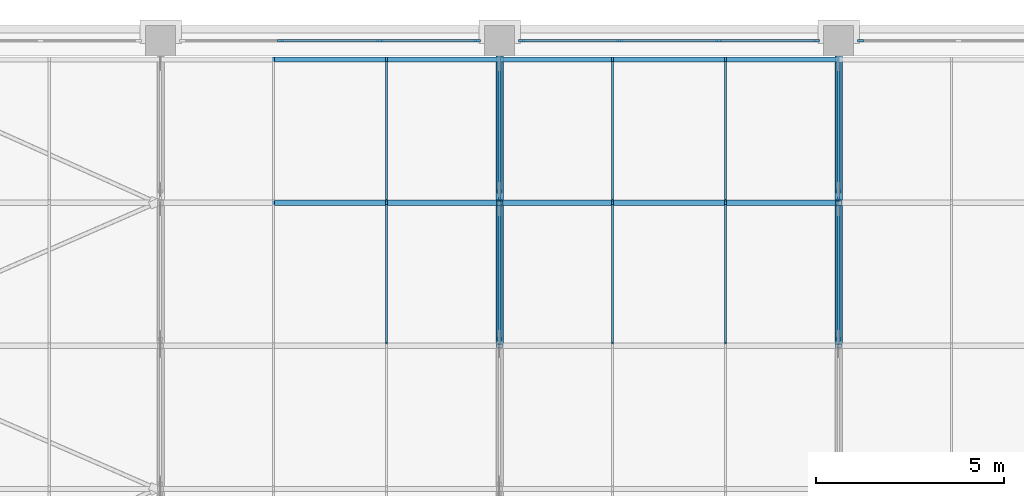
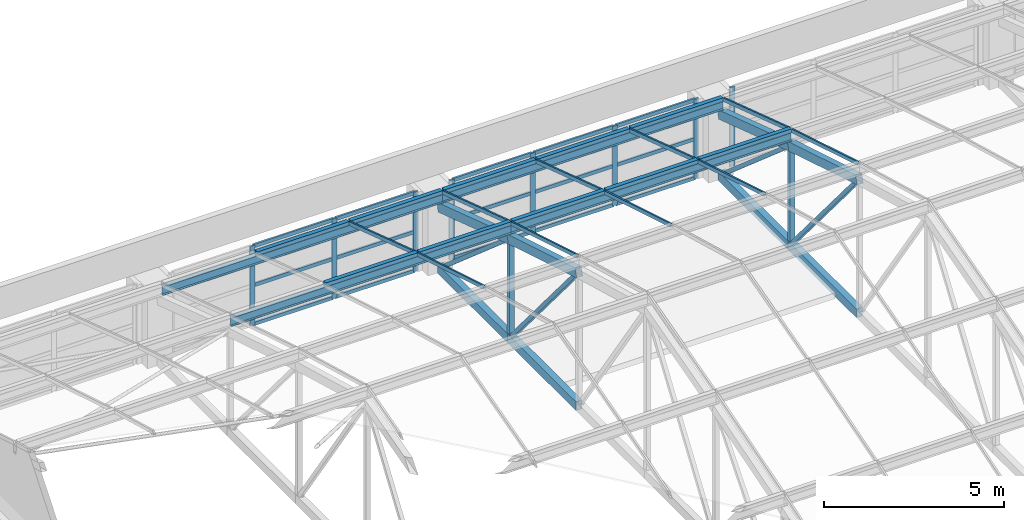
# One storey, part 14 of 82: 61 members, 4 elements without a shape of their own.
"""IFC4 building model written with IfcOpenShell, lengths in metres."""

from ifc_helpers import new_model, si_unit, direction, frame, origin, origin_2d, place, context, subcontext, project, spatial, rectangle, hollow_rectangle, i_section, extrude, material, material_profile, profile_set, type_object, element, aggregate, save


model = new_model("IFC4")

# Units and contexts
model_context = context("Model", 3, precision=1e-05, world=origin(), true_north=direction((0.0, 1.0)))
body_context = subcontext(model_context, "Body", "Model", "MODEL_VIEW")
ifc_project = project(units=[si_unit("LENGTHUNIT", "METRE"), si_unit("AREAUNIT", "SQUARE_METRE"), si_unit("VOLUMEUNIT", "CUBIC_METRE"), si_unit("PLANEANGLEUNIT", "RADIAN"), si_unit("MASSUNIT", "GRAM", prefix="KILO")], contexts=[model_context])

# Site, building, storey
site_placement = place(None, origin())
site = spatial("IfcSite", under=ifc_project, at=site_placement, CompositionType="ELEMENT")
building_placement = place(site_placement, origin())
building = spatial("IfcBuilding", under=site, at=building_placement, Name="Aravalli Gate Trade Fair Centre", CompositionType="ELEMENT")
storey_placement = place(building_placement, frame((0.0, 0.0, 19.199951171875)))
storey = spatial("IfcBuildingStorey", under=building, at=storey_placement, Name="L04", CompositionType="ELEMENT", Elevation=19.199951171875)

# Curtain wall, members
ifc_material_1 = material(Name="Aluminium and glass", Category="aluminium")
curtain_wall_type_1 = type_object("IfcCurtainWallType", Name="Curtain wall 3000 module", PredefinedType="NOTDEFINED", material=ifc_material_1)
curtain_wall_1_placement = place(storey_placement, origin())
curtain_wall_1 = element("IfcCurtainWall", 1, at=curtain_wall_1_placement, inside=storey, type_object=curtain_wall_type_1, Name="Curtain wall north bay 3 L04", PredefinedType="NOTDEFINED")
ifc_material_2 = material(Name="Aluminium", Category="aluminium")
ifc_material_profile_1 = material_profile(ifc_material_2, rectangle(XDim=0.06005859375, YDim=0.159912109375, at=origin_2d()), Name="Concourse curtain wall mullion 60 x 160")
ifc_profile_set_1 = profile_set([ifc_material_profile_1], Name="Aluminium")
member_type_1 = type_object("IfcMemberType", Name="Concourse curtain wall mullion 60 x 160", PredefinedType="MULLION", material=ifc_profile_set_1)
member_1_placement = place(storey_placement, frame((27.183349609375, 133.0, 0.0), z_axis=(0.0, 0.0, 1.0), x_axis=(0.0, 1.0, 0.0)))
member_1 = element("IfcMember", 2, at=member_1_placement, type_object=member_type_1, Name="CW1 mullion 2", PredefinedType="MULLION", context=body_context, shape_type="SweptSolid", body=[
    extrude(rectangle(XDim=0.06005859375, YDim=0.159912109375, at=origin_2d()), origin(), (0.0, 0.0, 1.0), 2.699951171875),
])
member_2_placement = place(storey_placement, frame((29.816650390625, 133.0, 0.0), z_axis=(0.0, 0.0, 1.0), x_axis=(0.0, 1.0, 0.0)))
member_2 = element("IfcMember", 3, at=member_2_placement, type_object=member_type_1, Name="CW1 mullion 3", PredefinedType="MULLION", context=body_context, shape_type="SweptSolid", body=[
    extrude(rectangle(XDim=0.06005859375, YDim=0.159912109375, at=origin_2d()), origin(), (0.0, 0.0, 1.0), 2.699951171875),
])
member_3_placement = place(storey_placement, frame((32.419921875, 133.0, 0.0), z_axis=(0.0, 0.0, 1.0), x_axis=(0.0, 1.0, 0.0)))
member_3 = element("IfcMember", 4, at=member_3_placement, type_object=member_type_1, Name="CW1 mullion 4", PredefinedType="MULLION", context=body_context, shape_type="SweptSolid", body=[
    extrude(rectangle(XDim=0.06005859375, YDim=0.159912109375, at=origin_2d()), origin(), (0.0, 0.0, 1.0), 2.699951171875),
])

curtain_wall_2_placement = place(storey_placement, origin())
curtain_wall_2 = element("IfcCurtainWall", 5, at=curtain_wall_2_placement, inside=storey, type_object=curtain_wall_type_1, Name="Curtain wall north bay 4 L04", PredefinedType="NOTDEFINED")
member_4_placement = place(storey_placement, frame((33.580078125, 133.0, 0.0), z_axis=(0.0, 0.0, 1.0), x_axis=(0.0, 1.0, 0.0)))
member_4 = element("IfcMember", 6, at=member_4_placement, type_object=member_type_1, Name="CW1 mullion 1", PredefinedType="MULLION", context=body_context, shape_type="SweptSolid", body=[
    extrude(rectangle(XDim=0.06005859375, YDim=0.159912109375, at=origin_2d()), origin(), (0.0, 0.0, 1.0), 2.699951171875),
])
member_5_placement = place(storey_placement, frame((36.183349609375, 133.0, 0.0), z_axis=(0.0, 0.0, 1.0), x_axis=(0.0, 1.0, 0.0)))
member_5 = element("IfcMember", 7, at=member_5_placement, type_object=member_type_1, Name="CW1 mullion 2", PredefinedType="MULLION", context=body_context, shape_type="SweptSolid", body=[
    extrude(rectangle(XDim=0.06005859375, YDim=0.159912109375, at=origin_2d()), origin(), (0.0, 0.0, 1.0), 2.699951171875),
])
member_6_placement = place(storey_placement, frame((38.816650390625, 133.0, 0.0), z_axis=(0.0, 0.0, 1.0), x_axis=(0.0, 1.0, 0.0)))
member_6 = element("IfcMember", 8, at=member_6_placement, type_object=member_type_1, Name="CW1 mullion 3", PredefinedType="MULLION", context=body_context, shape_type="SweptSolid", body=[
    extrude(rectangle(XDim=0.06005859375, YDim=0.159912109375, at=origin_2d()), origin(), (0.0, 0.0, 1.0), 2.699951171875),
])
member_7_placement = place(storey_placement, frame((41.419921875, 133.0, 0.0), z_axis=(0.0, 0.0, 1.0), x_axis=(0.0, 1.0, 0.0)))
member_7 = element("IfcMember", 9, at=member_7_placement, type_object=member_type_1, Name="CW1 mullion 4", PredefinedType="MULLION", context=body_context, shape_type="SweptSolid", body=[
    extrude(rectangle(XDim=0.06005859375, YDim=0.159912109375, at=origin_2d()), origin(), (0.0, 0.0, 1.0), 2.699951171875),
])

# Curtain wall, member
curtain_wall_3_placement = place(storey_placement, origin())
curtain_wall_3 = element("IfcCurtainWall", 10, at=curtain_wall_3_placement, inside=storey, type_object=curtain_wall_type_1, Name="Curtain wall north bay 5 L04", PredefinedType="NOTDEFINED")
member_8_placement = place(storey_placement, frame((42.580078125, 133.0, 0.0), z_axis=(0.0, 0.0, 1.0), x_axis=(0.0, 1.0, 0.0)))
member_8 = element("IfcMember", 11, at=member_8_placement, type_object=member_type_1, Name="CW1 mullion 1", PredefinedType="MULLION", context=body_context, shape_type="SweptSolid", body=[
    extrude(rectangle(XDim=0.06005859375, YDim=0.159912109375, at=origin_2d()), origin(), (0.0, 0.0, 1.0), 2.699951171875),
])
aggregate(curtain_wall_3, [member_8])

# Member
ifc_material_profile_2 = material_profile(ifc_material_2, rectangle(XDim=0.06005859375, YDim=0.1201171875, at=origin_2d()), Name="Concourse curtain wall transom 60 x 120")
ifc_profile_set_2 = profile_set([ifc_material_profile_2], Name="Aluminium")
member_type_2 = type_object("IfcMemberType", Name="Concourse curtain wall transom 60 x 120", PredefinedType="USERDEFINED", material=ifc_profile_set_2)
member_9_placement = place(storey_placement, frame((27.21337890625, 133.0, 0.030029296875), z_axis=(1.0, 0.0, 0.0), x_axis=(0.0, 1.0, 0.0)))
member_9 = element("IfcMember", 12, at=member_9_placement, type_object=member_type_2, Name="CW1 transom 2.1", ObjectType="TRANSOM", PredefinedType="USERDEFINED", context=body_context, shape_type="SweptSolid", body=[
    extrude(rectangle(XDim=0.06005859375, YDim=0.1201171875, at=origin_2d()), origin(), (0.0, 0.0, 1.0), 2.5732421875),
])

member_10_placement = place(storey_placement, frame((27.21337890625, 133.0, 1.35009765625), z_axis=(1.0, 0.0, 0.0), x_axis=(0.0, 1.0, 0.0)))
member_10 = element("IfcMember", 13, at=member_10_placement, type_object=member_type_2, Name="CW1 transom 2.2", ObjectType="TRANSOM", PredefinedType="USERDEFINED", context=body_context, shape_type="SweptSolid", body=[
    extrude(rectangle(XDim=0.06005859375, YDim=0.1201171875, at=origin_2d()), origin(), (0.0, 0.0, 1.0), 2.5732421875),
])

member_11_placement = place(storey_placement, frame((27.21337890625, 133.0, 2.670166015625), z_axis=(1.0, 0.0, 0.0), x_axis=(0.0, 1.0, 0.0)))
member_11 = element("IfcMember", 14, at=member_11_placement, type_object=member_type_2, Name="CW1 transom 2.3", ObjectType="TRANSOM", PredefinedType="USERDEFINED", context=body_context, shape_type="SweptSolid", body=[
    extrude(rectangle(XDim=0.06005859375, YDim=0.1201171875, at=origin_2d()), origin(), (0.0, 0.0, 1.0), 2.5732421875),
])

member_12_placement = place(storey_placement, frame((29.8466796875, 133.0, 0.030029296875), z_axis=(1.0, 0.0, 0.0), x_axis=(0.0, 1.0, 0.0)))
member_12 = element("IfcMember", 15, at=member_12_placement, type_object=member_type_2, Name="CW1 transom 3.1", ObjectType="TRANSOM", PredefinedType="USERDEFINED", context=body_context, shape_type="SweptSolid", body=[
    extrude(rectangle(XDim=0.06005859375, YDim=0.1201171875, at=origin_2d()), origin(), (0.0, 0.0, 1.0), 2.543212890625),
])

member_13_placement = place(storey_placement, frame((29.8466796875, 133.0, 1.35009765625), z_axis=(1.0, 0.0, 0.0), x_axis=(0.0, 1.0, 0.0)))
member_13 = element("IfcMember", 16, at=member_13_placement, type_object=member_type_2, Name="CW1 transom 3.2", ObjectType="TRANSOM", PredefinedType="USERDEFINED", context=body_context, shape_type="SweptSolid", body=[
    extrude(rectangle(XDim=0.06005859375, YDim=0.1201171875, at=origin_2d()), origin(), (0.0, 0.0, 1.0), 2.543212890625),
])

member_14_placement = place(storey_placement, frame((29.8466796875, 133.0, 2.670166015625), z_axis=(1.0, 0.0, 0.0), x_axis=(0.0, 1.0, 0.0)))
member_14 = element("IfcMember", 17, at=member_14_placement, type_object=member_type_2, Name="CW1 transom 3.3", ObjectType="TRANSOM", PredefinedType="USERDEFINED", context=body_context, shape_type="SweptSolid", body=[
    extrude(rectangle(XDim=0.06005859375, YDim=0.1201171875, at=origin_2d()), origin(), (0.0, 0.0, 1.0), 2.543212890625),
])

aggregate(curtain_wall_1, [member_1, member_2, member_3, member_9, member_10, member_11, member_12, member_13, member_14])

member_15_placement = place(storey_placement, frame((33.610107421875, 133.0, 0.030029296875), z_axis=(1.0, 0.0, 0.0), x_axis=(0.0, 1.0, 0.0)))
member_15 = element("IfcMember", 18, at=member_15_placement, type_object=member_type_2, Name="CW1 transom 1.1", ObjectType="TRANSOM", PredefinedType="USERDEFINED", context=body_context, shape_type="SweptSolid", body=[
    extrude(rectangle(XDim=0.06005859375, YDim=0.1201171875, at=origin_2d()), origin(), (0.0, 0.0, 1.0), 2.543212890625),
])

member_16_placement = place(storey_placement, frame((33.610107421875, 133.0, 1.35009765625), z_axis=(1.0, 0.0, 0.0), x_axis=(0.0, 1.0, 0.0)))
member_16 = element("IfcMember", 19, at=member_16_placement, type_object=member_type_2, Name="CW1 transom 1.2", ObjectType="TRANSOM", PredefinedType="USERDEFINED", context=body_context, shape_type="SweptSolid", body=[
    extrude(rectangle(XDim=0.06005859375, YDim=0.1201171875, at=origin_2d()), origin(), (0.0, 0.0, 1.0), 2.543212890625),
])

member_17_placement = place(storey_placement, frame((33.610107421875, 133.0, 2.670166015625), z_axis=(1.0, 0.0, 0.0), x_axis=(0.0, 1.0, 0.0)))
member_17 = element("IfcMember", 20, at=member_17_placement, type_object=member_type_2, Name="CW1 transom 1.3", ObjectType="TRANSOM", PredefinedType="USERDEFINED", context=body_context, shape_type="SweptSolid", body=[
    extrude(rectangle(XDim=0.06005859375, YDim=0.1201171875, at=origin_2d()), origin(), (0.0, 0.0, 1.0), 2.543212890625),
])

member_18_placement = place(storey_placement, frame((36.21337890625, 133.0, 0.030029296875), z_axis=(1.0, 0.0, 0.0), x_axis=(0.0, 1.0, 0.0)))
member_18 = element("IfcMember", 21, at=member_18_placement, type_object=member_type_2, Name="CW1 transom 2.1", ObjectType="TRANSOM", PredefinedType="USERDEFINED", context=body_context, shape_type="SweptSolid", body=[
    extrude(rectangle(XDim=0.06005859375, YDim=0.1201171875, at=origin_2d()), origin(), (0.0, 0.0, 1.0), 2.5732421875),
])

member_19_placement = place(storey_placement, frame((36.21337890625, 133.0, 1.35009765625), z_axis=(1.0, 0.0, 0.0), x_axis=(0.0, 1.0, 0.0)))
member_19 = element("IfcMember", 22, at=member_19_placement, type_object=member_type_2, Name="CW1 transom 2.2", ObjectType="TRANSOM", PredefinedType="USERDEFINED", context=body_context, shape_type="SweptSolid", body=[
    extrude(rectangle(XDim=0.06005859375, YDim=0.1201171875, at=origin_2d()), origin(), (0.0, 0.0, 1.0), 2.5732421875),
])

member_20_placement = place(storey_placement, frame((36.21337890625, 133.0, 2.670166015625), z_axis=(1.0, 0.0, 0.0), x_axis=(0.0, 1.0, 0.0)))
member_20 = element("IfcMember", 23, at=member_20_placement, type_object=member_type_2, Name="CW1 transom 2.3", ObjectType="TRANSOM", PredefinedType="USERDEFINED", context=body_context, shape_type="SweptSolid", body=[
    extrude(rectangle(XDim=0.06005859375, YDim=0.1201171875, at=origin_2d()), origin(), (0.0, 0.0, 1.0), 2.5732421875),
])

member_21_placement = place(storey_placement, frame((38.8466796875, 133.0, 0.030029296875), z_axis=(1.0, 0.0, 0.0), x_axis=(0.0, 1.0, 0.0)))
member_21 = element("IfcMember", 24, at=member_21_placement, type_object=member_type_2, Name="CW1 transom 3.1", ObjectType="TRANSOM", PredefinedType="USERDEFINED", context=body_context, shape_type="SweptSolid", body=[
    extrude(rectangle(XDim=0.06005859375, YDim=0.1201171875, at=origin_2d()), origin(), (0.0, 0.0, 1.0), 2.543212890625),
])

member_22_placement = place(storey_placement, frame((38.8466796875, 133.0, 1.35009765625), z_axis=(1.0, 0.0, 0.0), x_axis=(0.0, 1.0, 0.0)))
member_22 = element("IfcMember", 25, at=member_22_placement, type_object=member_type_2, Name="CW1 transom 3.2", ObjectType="TRANSOM", PredefinedType="USERDEFINED", context=body_context, shape_type="SweptSolid", body=[
    extrude(rectangle(XDim=0.06005859375, YDim=0.1201171875, at=origin_2d()), origin(), (0.0, 0.0, 1.0), 2.543212890625),
])

member_23_placement = place(storey_placement, frame((38.8466796875, 133.0, 2.670166015625), z_axis=(1.0, 0.0, 0.0), x_axis=(0.0, 1.0, 0.0)))
member_23 = element("IfcMember", 26, at=member_23_placement, type_object=member_type_2, Name="CW1 transom 3.3", ObjectType="TRANSOM", PredefinedType="USERDEFINED", context=body_context, shape_type="SweptSolid", body=[
    extrude(rectangle(XDim=0.06005859375, YDim=0.1201171875, at=origin_2d()), origin(), (0.0, 0.0, 1.0), 2.543212890625),
])

aggregate(curtain_wall_2, [member_4, member_5, member_6, member_7, member_15, member_16, member_17, member_18, member_19, member_20, member_21, member_22, member_23])

# Members
ifc_material_3 = material(Name="Steel E350", Category="steel")
ifc_material_profile_3 = material_profile(ifc_material_3, i_section(OverallWidth=0.139892578125, OverallDepth=0.300048828125, WebThickness=0.0078125, FlangeThickness=0.01318359375, at=origin_2d()), Name="ISMB 300")
ifc_profile_set_3 = profile_set([ifc_material_profile_3], Name="Steel E350")
member_type_3 = type_object("IfcMemberType", Name="ISMB 300 roof purlin", PredefinedType="PURLIN", material=ifc_profile_set_3)
for number, where, z_axis, x_axis, name in (
    (27, (24.0, 128.699951171875, 3.851318359375), (1.0, 0.0, 0.0), (0.0, 1.0, 0.0), "Vault purlin 03-04 F5"),
    (28, (24.0, 132.5, 2.60302734375), (1.0, 0.0, 0.0), (0.0, 1.0, 0.0), "Vault purlin 03-04 F6"),
    (29, (33.0, 128.699951171875, 3.851318359375), (1.0, 0.0, 0.0), (0.0, 1.0, 0.0), "Vault purlin 04-05 F5"),
    (30, (33.0, 132.5, 2.60302734375), (1.0, 0.0, 0.0), (0.0, 1.0, 0.0), "Vault purlin 04-05 F6"),
):
    element("IfcMember", number, at=place(storey_placement, frame(where, z_axis=z_axis, x_axis=x_axis)), inside=storey, type_object=member_type_3, Name=name, PredefinedType="PURLIN", context=body_context, shape_type="SweptSolid", body=[
        extrude(i_section(OverallWidth=0.139892578125, OverallDepth=0.300048828125, WebThickness=0.0078125, FlangeThickness=0.01318359375, at=origin_2d()), origin(), (0.0, 0.0, 1.0), 9.0),
    ])
ifc_material_profile_4 = material_profile(ifc_material_3, hollow_rectangle(XDim=0.199951171875, YDim=0.300048828125, WallThickness=0.011962890625, at=origin_2d()), Name="RHS 300x200x12")
ifc_profile_set_4 = profile_set([ifc_material_profile_4], Name="Steel E350")
member_type_4 = type_object("IfcMemberType", Name="RHS 300x200x12 CT1 truss chord", PredefinedType="CHORD", material=ifc_profile_set_4)
member_24_placement = place(storey_placement, frame((33.0, 124.89990234375, 4.67333984375), z_axis=(0.0, 0.957138110877, -0.289631898634), x_axis=(-1.0, 0.0, 0.0)))
element("IfcMember", 31, at=member_24_placement, inside=storey, type_object=member_type_4, Name="Concourse vault truss CT1 line 04 top chord T5", PredefinedType="CHORD", context=body_context, shape_type="SweptSolid", body=[
    extrude(hollow_rectangle(XDim=0.199951171875, YDim=0.300048828125, WallThickness=0.011962890625, at=origin_2d()), origin(), (0.0, 0.0, 1.0), 3.97021484375),
])
member_25_placement = place(storey_placement, frame((33.0, 124.89990234375, 0.150146484375), z_axis=(0.0, 1.0, 0.0), x_axis=(-1.0, 0.0, 0.0)))
element("IfcMember", 32, at=member_25_placement, inside=storey, type_object=member_type_4, Name="Concourse vault truss CT1 line 04 bottom chord B5", PredefinedType="CHORD", context=body_context, shape_type="SweptSolid", body=[
    extrude(hollow_rectangle(XDim=0.199951171875, YDim=0.300048828125, WallThickness=0.011962890625, at=origin_2d()), origin(), (0.0, 0.0, 1.0), 3.800048828125),
])
member_26_placement = place(storey_placement, frame((33.0, 128.699951171875, 3.522216796875), z_axis=(0.0, 0.949924628731, -0.312479118872), x_axis=(-1.0, 0.0, 0.0)))
element("IfcMember", 33, at=member_26_placement, inside=storey, type_object=member_type_4, Name="Concourse vault truss CT1 line 04 top chord T6", PredefinedType="CHORD", context=body_context, shape_type="SweptSolid", body=[
    extrude(hollow_rectangle(XDim=0.199951171875, YDim=0.300048828125, WallThickness=0.011962890625, at=origin_2d()), origin(), (0.0, 0.0, 1.0), 4.105712890625),
])
member_27_placement = place(storey_placement, frame((33.0, 128.699951171875, 0.150146484375), z_axis=(0.0, 1.0, 0.0), x_axis=(-1.0, 0.0, 0.0)))
element("IfcMember", 34, at=member_27_placement, inside=storey, type_object=member_type_4, Name="Concourse vault truss CT1 line 04 bottom chord B6", PredefinedType="CHORD", context=body_context, shape_type="SweptSolid", body=[
    extrude(hollow_rectangle(XDim=0.199951171875, YDim=0.300048828125, WallThickness=0.011962890625, at=origin_2d()), origin(), (0.0, 0.0, 1.0), 3.900146484375),
])
member_28_placement = place(storey_placement, frame((42.0, 124.89990234375, 4.67333984375), z_axis=(0.0, 0.957138110877, -0.289631898634), x_axis=(-1.0, 0.0, 0.0)))
element("IfcMember", 35, at=member_28_placement, inside=storey, type_object=member_type_4, Name="Concourse vault truss CT1 line 05 top chord T5", PredefinedType="CHORD", context=body_context, shape_type="SweptSolid", body=[
    extrude(hollow_rectangle(XDim=0.199951171875, YDim=0.300048828125, WallThickness=0.011962890625, at=origin_2d()), origin(), (0.0, 0.0, 1.0), 3.97021484375),
])
member_29_placement = place(storey_placement, frame((42.0, 124.89990234375, 0.150146484375), z_axis=(0.0, 1.0, 0.0), x_axis=(-1.0, 0.0, 0.0)))
element("IfcMember", 36, at=member_29_placement, inside=storey, type_object=member_type_4, Name="Concourse vault truss CT1 line 05 bottom chord B5", PredefinedType="CHORD", context=body_context, shape_type="SweptSolid", body=[
    extrude(hollow_rectangle(XDim=0.199951171875, YDim=0.300048828125, WallThickness=0.011962890625, at=origin_2d()), origin(), (0.0, 0.0, 1.0), 3.800048828125),
])
member_30_placement = place(storey_placement, frame((42.0, 128.699951171875, 3.522216796875), z_axis=(0.0, 0.949924628731, -0.312479118872), x_axis=(-1.0, 0.0, 0.0)))
element("IfcMember", 37, at=member_30_placement, inside=storey, type_object=member_type_4, Name="Concourse vault truss CT1 line 05 top chord T6", PredefinedType="CHORD", context=body_context, shape_type="SweptSolid", body=[
    extrude(hollow_rectangle(XDim=0.199951171875, YDim=0.300048828125, WallThickness=0.011962890625, at=origin_2d()), origin(), (0.0, 0.0, 1.0), 4.105712890625),
])
member_31_placement = place(storey_placement, frame((42.0, 128.699951171875, 0.150146484375), z_axis=(0.0, 1.0, 0.0), x_axis=(-1.0, 0.0, 0.0)))
element("IfcMember", 38, at=member_31_placement, inside=storey, type_object=member_type_4, Name="Concourse vault truss CT1 line 05 bottom chord B6", PredefinedType="CHORD", context=body_context, shape_type="SweptSolid", body=[
    extrude(hollow_rectangle(XDim=0.199951171875, YDim=0.300048828125, WallThickness=0.011962890625, at=origin_2d()), origin(), (0.0, 0.0, 1.0), 3.900146484375),
])
ifc_material_profile_5 = material_profile(ifc_material_3, hollow_rectangle(XDim=0.125, YDim=0.125, WallThickness=0.006103515625, at=origin_2d()), Name="SHS 125x125x6")
ifc_profile_set_5 = profile_set([ifc_material_profile_5], Name="Steel E350")
member_type_5 = type_object("IfcMemberType", Name="SHS 125x125x6 CT1 truss diagonal", PredefinedType="BRACE", material=ifc_profile_set_5)
member_32_placement = place(storey_placement, frame((33.0, 125.076416015625, 4.463134765625), z_axis=(0.0, 0.643253159982, -0.765653558845), x_axis=(-1.0, 0.0, 0.0)))
element("IfcMember", 39, at=member_32_placement, inside=storey, type_object=member_type_5, Name="Concourse vault truss CT1 line 04 diagonal D5", PredefinedType="BRACE", context=body_context, shape_type="SweptSolid", body=[
    extrude(hollow_rectangle(XDim=0.125, YDim=0.125, WallThickness=0.006103515625, at=origin_2d()), origin(), (0.0, 0.0, 1.0), 5.437255859375),
])
member_33_placement = place(storey_placement, frame((33.0, 128.994873046875, 3.267333984375), z_axis=(0.0, 0.756430814482, -0.654073713661), x_axis=(-1.0, 0.0, 0.0)))
element("IfcMember", 40, at=member_33_placement, inside=storey, type_object=member_type_5, Name="Concourse vault truss CT1 line 04 diagonal D6", PredefinedType="BRACE", context=body_context, shape_type="SweptSolid", body=[
    extrude(hollow_rectangle(XDim=0.125, YDim=0.125, WallThickness=0.006103515625, at=origin_2d()), origin(), (0.0, 0.0, 1.0), 4.53662109375),
])
member_34_placement = place(storey_placement, frame((42.0, 125.076416015625, 4.463134765625), z_axis=(0.0, 0.643253159982, -0.765653558845), x_axis=(-1.0, 0.0, 0.0)))
element("IfcMember", 41, at=member_34_placement, inside=storey, type_object=member_type_5, Name="Concourse vault truss CT1 line 05 diagonal D5", PredefinedType="BRACE", context=body_context, shape_type="SweptSolid", body=[
    extrude(hollow_rectangle(XDim=0.125, YDim=0.125, WallThickness=0.006103515625, at=origin_2d()), origin(), (0.0, 0.0, 1.0), 5.437255859375),
])
member_35_placement = place(storey_placement, frame((42.0, 128.994873046875, 3.267333984375), z_axis=(0.0, 0.756430814482, -0.654073713661), x_axis=(-1.0, 0.0, 0.0)))
element("IfcMember", 42, at=member_35_placement, inside=storey, type_object=member_type_5, Name="Concourse vault truss CT1 line 05 diagonal D6", PredefinedType="BRACE", context=body_context, shape_type="SweptSolid", body=[
    extrude(hollow_rectangle(XDim=0.125, YDim=0.125, WallThickness=0.006103515625, at=origin_2d()), origin(), (0.0, 0.0, 1.0), 4.53662109375),
])
ifc_material_profile_6 = material_profile(ifc_material_3, hollow_rectangle(XDim=0.14990234375, YDim=0.14990234375, WallThickness=0.006103515625, at=origin_2d()), Name="SHS 150x150x6")
ifc_profile_set_6 = profile_set([ifc_material_profile_6], Name="Steel E350")
member_type_6 = type_object("IfcMemberType", Name="SHS 150x150x6 CT1 truss post", PredefinedType="POST", material=ifc_profile_set_6)
for number, where, z_axis, x_axis, name in (
    (43, (33.0, 128.699951171875, 0.300048828125), (0.0, 0.0, 1.0), (1.0, 0.0, 0.0), "Concourse vault truss CT1 line 04 post V5"),
    (44, (42.0, 128.699951171875, 0.300048828125), (0.0, 0.0, 1.0), (1.0, 0.0, 0.0), "Concourse vault truss CT1 line 05 post V5"),
):
    element("IfcMember", number, at=place(storey_placement, frame(where, z_axis=z_axis, x_axis=x_axis)), inside=storey, type_object=member_type_6, Name=name, PredefinedType="POST", context=body_context, shape_type="SweptSolid", body=[
        extrude(hollow_rectangle(XDim=0.14990234375, YDim=0.14990234375, WallThickness=0.006103515625, at=origin_2d()), origin(), (0.0, 0.0, 1.0), 3.064208984375),
    ])
ifc_material_profile_7 = material_profile(ifc_material_2, rectangle(XDim=0.139892578125, YDim=0.1201171875, at=origin_2d()), Name="Vault fold cap 140 x 120")
ifc_profile_set_7 = profile_set([ifc_material_profile_7], Name="Aluminium")
member_type_7 = type_object("IfcMemberType", Name="Vault fold cap 140 x 120", PredefinedType="USERDEFINED", material=ifc_profile_set_7)
for number, where, z_axis, x_axis, name in (
    (45, (27.030029296875, 128.699951171875, 4.061279296875), (1.0, 0.0, 0.0), (0.0, 1.0, 0.0), "Vault fold cap w5.5"),
    (46, (27.030029296875, 132.5, 2.81298828125), (1.0, 0.0, 0.0), (0.0, 1.0, 0.0), "Vault fold cap w5.6"),
    (47, (30.030029296875, 128.699951171875, 4.061279296875), (1.0, 0.0, 0.0), (0.0, 1.0, 0.0), "Vault fold cap w6.5"),
    (48, (30.030029296875, 132.5, 2.81298828125), (1.0, 0.0, 0.0), (0.0, 1.0, 0.0), "Vault fold cap w6.6"),
    (49, (33.030029296875, 128.699951171875, 4.061279296875), (1.0, 0.0, 0.0), (0.0, 1.0, 0.0), "Vault fold cap w7.5"),
    (50, (33.030029296875, 132.5, 2.81298828125), (1.0, 0.0, 0.0), (0.0, 1.0, 0.0), "Vault fold cap w7.6"),
    (51, (36.030029296875, 128.699951171875, 4.061279296875), (1.0, 0.0, 0.0), (0.0, 1.0, 0.0), "Vault fold cap w8.5"),
    (52, (36.030029296875, 132.5, 2.81298828125), (1.0, 0.0, 0.0), (0.0, 1.0, 0.0), "Vault fold cap w8.6"),
    (53, (39.030029296875, 128.699951171875, 4.061279296875), (1.0, 0.0, 0.0), (0.0, 1.0, 0.0), "Vault fold cap w9.5"),
    (54, (39.030029296875, 132.5, 2.81298828125), (1.0, 0.0, 0.0), (0.0, 1.0, 0.0), "Vault fold cap w9.6"),
):
    element("IfcMember", number, at=place(storey_placement, frame(where, z_axis=z_axis, x_axis=x_axis)), inside=storey, type_object=member_type_7, Name=name, ObjectType="FOLD CAP", PredefinedType="USERDEFINED", context=body_context, shape_type="SweptSolid", body=[
        extrude(rectangle(XDim=0.139892578125, YDim=0.1201171875, at=origin_2d()), origin(), (0.0, 0.0, 1.0), 2.93994140625),
    ])

# Curtain wall, members
curtain_wall_type_2 = type_object("IfcCurtainWallType", Name="Vault curtain wall, sloped glazing", PredefinedType="NOTDEFINED", material=ifc_material_1)
curtain_wall_4_placement = place(storey_placement, origin())
curtain_wall_4 = element("IfcCurtainWall", 55, at=curtain_wall_4_placement, inside=storey, type_object=curtain_wall_type_2, Name="Vault curtain wall w", PredefinedType="NOTDEFINED")
ifc_material_profile_8 = material_profile(ifc_material_2, rectangle(XDim=0.06005859375, YDim=0.1201171875, at=origin_2d()), Name="Vault glazing bar 60 x 120")
ifc_profile_set_8 = profile_set([ifc_material_profile_8], Name="Aluminium")
member_type_8 = type_object("IfcMemberType", Name="Vault glazing bar 60 x 120", PredefinedType="USERDEFINED", material=ifc_profile_set_8)
member_36_placement = place(storey_placement, frame((30.0, 124.969970703125, 5.166259765625), z_axis=(0.0, 0.957125834694, -0.289672464279), x_axis=(-1.0, 0.0, 0.0)))
member_36 = element("IfcMember", 56, at=member_36_placement, type_object=member_type_8, Name="Vault glazing bar w6.5", ObjectType="GLAZING BAR", PredefinedType="USERDEFINED", context=body_context, shape_type="SweptSolid", body=[
    extrude(rectangle(XDim=0.06005859375, YDim=0.1201171875, at=origin_2d()), origin(), (0.0, 0.0, 1.0), 3.823974609375),
])
member_37_placement = place(storey_placement, frame((30.0, 128.77001953125, 4.013916015625), z_axis=(0.0, 0.949930492103, -0.31246129388), x_axis=(-1.0, 0.0, 0.0)))
member_37 = element("IfcMember", 57, at=member_37_placement, type_object=member_type_8, Name="Vault glazing bar w6.6", ObjectType="GLAZING BAR", PredefinedType="USERDEFINED", context=body_context, shape_type="SweptSolid", body=[
    extrude(rectangle(XDim=0.06005859375, YDim=0.1201171875, at=origin_2d()), origin(), (0.0, 0.0, 1.0), 3.852783203125),
])
member_38_placement = place(storey_placement, frame((33.0, 124.969970703125, 5.166259765625), z_axis=(0.0, 0.957125834694, -0.289672464279), x_axis=(-1.0, 0.0, 0.0)))
member_38 = element("IfcMember", 58, at=member_38_placement, type_object=member_type_8, Name="Vault glazing bar w7.5", ObjectType="GLAZING BAR", PredefinedType="USERDEFINED", context=body_context, shape_type="SweptSolid", body=[
    extrude(rectangle(XDim=0.06005859375, YDim=0.1201171875, at=origin_2d()), origin(), (0.0, 0.0, 1.0), 3.823974609375),
])
member_39_placement = place(storey_placement, frame((33.0, 128.77001953125, 4.013916015625), z_axis=(0.0, 0.949930492103, -0.31246129388), x_axis=(-1.0, 0.0, 0.0)))
member_39 = element("IfcMember", 59, at=member_39_placement, type_object=member_type_8, Name="Vault glazing bar w7.6", ObjectType="GLAZING BAR", PredefinedType="USERDEFINED", context=body_context, shape_type="SweptSolid", body=[
    extrude(rectangle(XDim=0.06005859375, YDim=0.1201171875, at=origin_2d()), origin(), (0.0, 0.0, 1.0), 3.852783203125),
])
member_40_placement = place(storey_placement, frame((36.0, 124.969970703125, 5.166259765625), z_axis=(0.0, 0.957125834694, -0.289672464279), x_axis=(-1.0, 0.0, 0.0)))
member_40 = element("IfcMember", 60, at=member_40_placement, type_object=member_type_8, Name="Vault glazing bar w8.5", ObjectType="GLAZING BAR", PredefinedType="USERDEFINED", context=body_context, shape_type="SweptSolid", body=[
    extrude(rectangle(XDim=0.06005859375, YDim=0.1201171875, at=origin_2d()), origin(), (0.0, 0.0, 1.0), 3.823974609375),
])
member_41_placement = place(storey_placement, frame((36.0, 128.77001953125, 4.013916015625), z_axis=(0.0, 0.949930492103, -0.31246129388), x_axis=(-1.0, 0.0, 0.0)))
member_41 = element("IfcMember", 61, at=member_41_placement, type_object=member_type_8, Name="Vault glazing bar w8.6", ObjectType="GLAZING BAR", PredefinedType="USERDEFINED", context=body_context, shape_type="SweptSolid", body=[
    extrude(rectangle(XDim=0.06005859375, YDim=0.1201171875, at=origin_2d()), origin(), (0.0, 0.0, 1.0), 3.852783203125),
])
member_42_placement = place(storey_placement, frame((39.0, 124.969970703125, 5.166259765625), z_axis=(0.0, 0.957125834694, -0.289672464279), x_axis=(-1.0, 0.0, 0.0)))
member_42 = element("IfcMember", 62, at=member_42_placement, type_object=member_type_8, Name="Vault glazing bar w9.5", ObjectType="GLAZING BAR", PredefinedType="USERDEFINED", context=body_context, shape_type="SweptSolid", body=[
    extrude(rectangle(XDim=0.06005859375, YDim=0.1201171875, at=origin_2d()), origin(), (0.0, 0.0, 1.0), 3.823974609375),
])
member_43_placement = place(storey_placement, frame((39.0, 128.77001953125, 4.013916015625), z_axis=(0.0, 0.949930492103, -0.31246129388), x_axis=(-1.0, 0.0, 0.0)))
member_43 = element("IfcMember", 63, at=member_43_placement, type_object=member_type_8, Name="Vault glazing bar w9.6", ObjectType="GLAZING BAR", PredefinedType="USERDEFINED", context=body_context, shape_type="SweptSolid", body=[
    extrude(rectangle(XDim=0.06005859375, YDim=0.1201171875, at=origin_2d()), origin(), (0.0, 0.0, 1.0), 3.852783203125),
])
member_44_placement = place(storey_placement, frame((42.0, 124.969970703125, 5.166259765625), z_axis=(0.0, 0.957125834694, -0.289672464279), x_axis=(-1.0, 0.0, 0.0)))
member_44 = element("IfcMember", 64, at=member_44_placement, type_object=member_type_8, Name="Vault glazing bar w10.5", ObjectType="GLAZING BAR", PredefinedType="USERDEFINED", context=body_context, shape_type="SweptSolid", body=[
    extrude(rectangle(XDim=0.06005859375, YDim=0.1201171875, at=origin_2d()), origin(), (0.0, 0.0, 1.0), 3.823974609375),
])
member_45_placement = place(storey_placement, frame((42.0, 128.77001953125, 4.013916015625), z_axis=(0.0, 0.949930492103, -0.31246129388), x_axis=(-1.0, 0.0, 0.0)))
member_45 = element("IfcMember", 65, at=member_45_placement, type_object=member_type_8, Name="Vault glazing bar w10.6", ObjectType="GLAZING BAR", PredefinedType="USERDEFINED", context=body_context, shape_type="SweptSolid", body=[
    extrude(rectangle(XDim=0.06005859375, YDim=0.1201171875, at=origin_2d()), origin(), (0.0, 0.0, 1.0), 3.852783203125),
])
aggregate(curtain_wall_4, [member_36, member_37, member_38, member_39, member_40, member_41, member_42, member_43, member_44, member_45])

save(model, "model.ifc")
